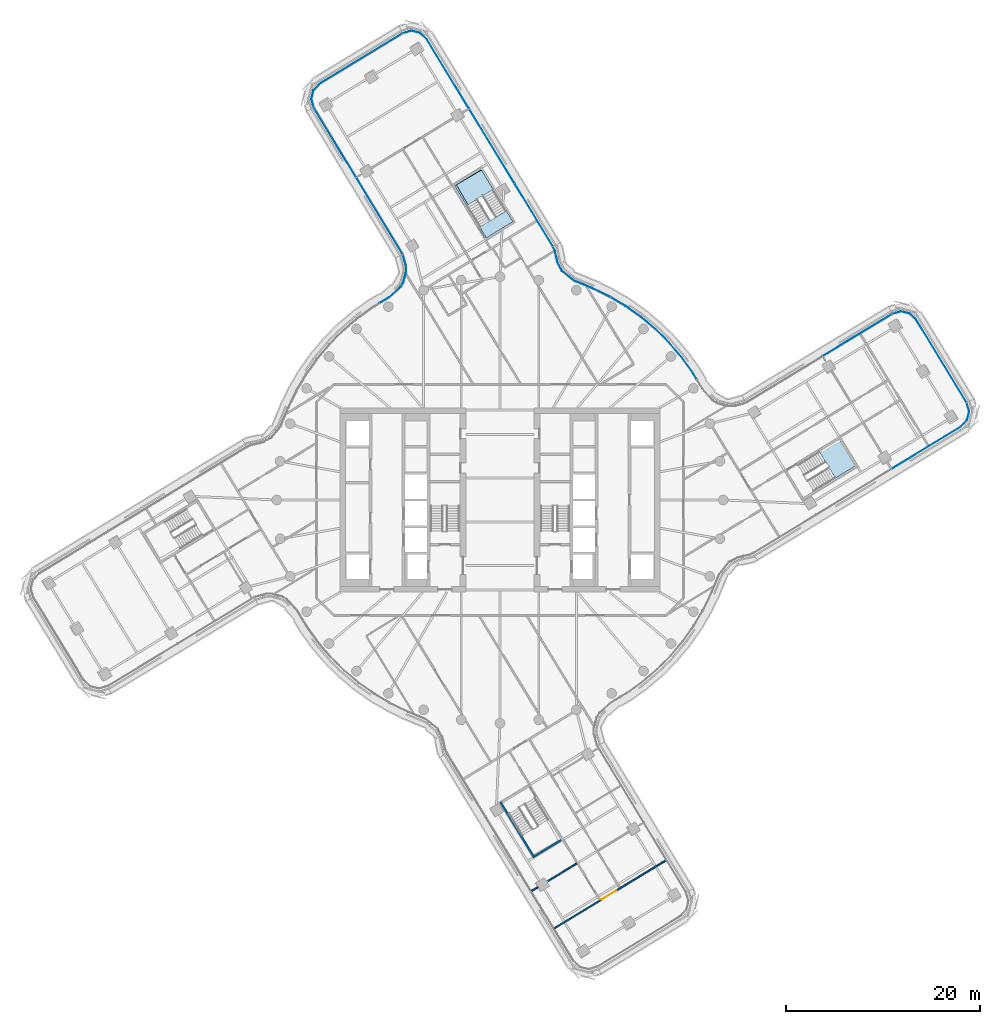
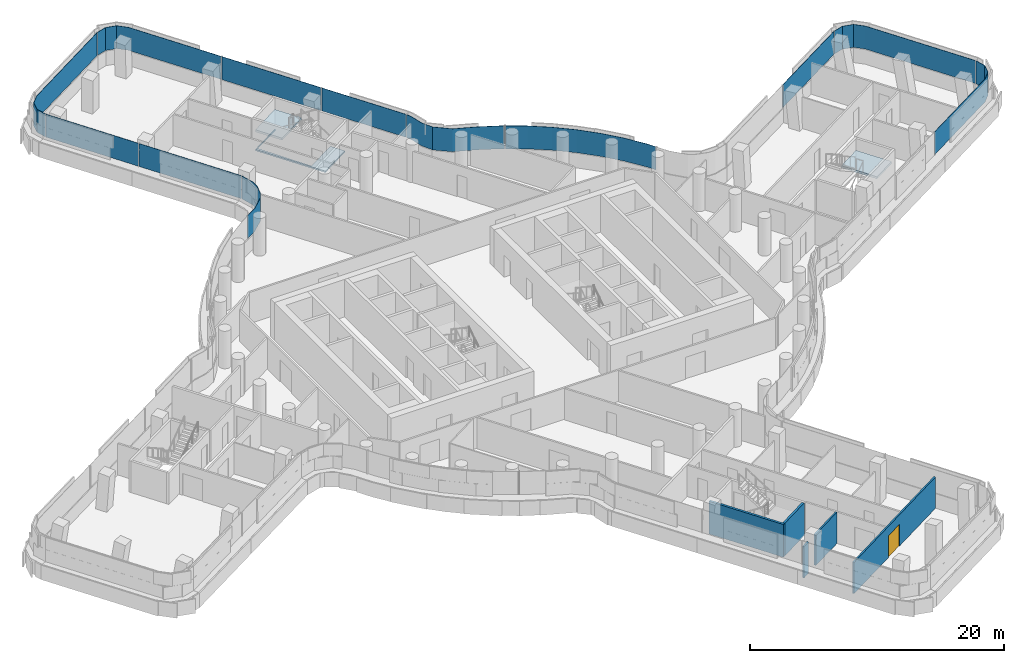
# One storey, part 20 of 35: 12 plates, 5 walls, 3 slabs, 1 door, 1 opening, 10 elements without a shape of their own.
"""IFC4 building model written with IfcOpenShell, lengths in metres."""

from ifc_helpers import new_model, si_unit, direction, frame, frame_2d, origin, place, context, subcontext, project, spatial, polyline, rectangle, outline, extrude, material, layer, layer_set, type_object, element, fill, aggregate, save


model = new_model("IFC4")

# Units and contexts
model_context = context("Model", 3, precision=1e-05, world=origin(), true_north=direction((0.0, 1.0)))
body_context = subcontext(model_context, "Body", "Model", "MODEL_VIEW")
ifc_project = project(units=[si_unit("LENGTHUNIT", "METRE"), si_unit("AREAUNIT", "SQUARE_METRE"), si_unit("VOLUMEUNIT", "CUBIC_METRE"), si_unit("PLANEANGLEUNIT", "RADIAN"), si_unit("MASSUNIT", "GRAM", prefix="KILO")], contexts=[model_context])

# Site, building, storey
site_placement = place(None, origin())
site = spatial("IfcSite", under=ifc_project, at=site_placement, CompositionType="ELEMENT")
building_placement = place(site_placement, origin())
building = spatial("IfcBuilding", under=site, at=building_placement, Name="Tamarind Cross Interchange Tower", CompositionType="ELEMENT")
storey_placement = place(building_placement, frame((0.0, 0.0, 148.0)))
storey = spatial("IfcBuildingStorey", under=building, at=storey_placement, Name="L36", CompositionType="ELEMENT", Elevation=148.0)

# Slab
ifc_material_1 = material(Name="Concrete C35", Category="concrete")
ifc_layer_1 = layer(ifc_material_1, 0.139892578125)
ifc_layer_set_1 = layer_set([ifc_layer_1], Name="Concrete C35")
slab_type_1 = type_object("IfcSlabType", Name="Composite slab 140 Concrete C35", PredefinedType="FLOOR", material=ifc_layer_set_1)
slab_1_placement = place(storey_placement, frame((0.0, 0.0, -0.139892578125)))
element("IfcSlab", 1, at=slab_1_placement, inside=storey, type_object=slab_type_1, Name="Floor slab L36", PredefinedType="FLOOR", context=body_context, shape_type="SweptSolid", body=[
    extrude(outline(polyline([(-1.94921875, 34.043701171875), (-4.682373046875, 32.379150390625), (-1.4052734375, 26.99853515625), (1.327880859375, 28.6630859375), (0.645263671875, 29.78369140625), (-1.989013671875, 28.17919921875), (-4.4921875, 32.462890625), (-1.906494140625, 33.9736328125), (-1.94921875, 34.043701171875)])), origin(), (0.0, 0.0, 1.0), 0.139892578125),
])

# Stair, slab
ifc_material_2 = material(Name="Exit stair")
stair_type = type_object("IfcStairType", Name="Exit stair", PredefinedType="HALF_TURN_STAIR", material=ifc_material_2)
stair_1_placement = place(storey_placement, origin())
stair_1 = element("IfcStair", 2, at=stair_1_placement, inside=storey, type_object=stair_type, Name="L36 exit stair ST3", PredefinedType="HALF_TURN_STAIR")
ifc_material_3 = material(Name="Concrete C40", Category="concrete")
ifc_layer_2 = layer(ifc_material_3, 0.199951171875)
ifc_layer_set_2 = layer_set([ifc_layer_2], Name="Concrete C40")
slab_type_2 = type_object("IfcSlabType", Name="Stair landing", PredefinedType="LANDING", material=ifc_layer_set_2)
slab_2_placement = place(storey_placement, frame((0.0, 0.0, 1.675048828125)))
slab_2 = element("IfcSlab", 3, at=slab_2_placement, type_object=slab_type_2, Name="ST3 landing 1", PredefinedType="LANDING", context=body_context, shape_type="SweptSolid", body=[
    extrude(outline(polyline([(34.5458984375, 2.255126953125), (36.60595703125, 3.509765625), (34.94140625, 6.242919921875), (32.88134765625, 4.988037109375), (34.5458984375, 2.255126953125)])), origin(), (0.0, 0.0, 1.0), 0.199951171875),
])
aggregate(stair_1, [slab_2])

stair_2_placement = place(storey_placement, origin())
stair_2 = element("IfcStair", 4, at=stair_2_placement, inside=storey, type_object=stair_type, Name="L36 exit stair ST4", PredefinedType="HALF_TURN_STAIR")
slab_3_placement = place(storey_placement, frame((0.0, 0.0, 1.675048828125)))
slab_3 = element("IfcSlab", 5, at=slab_3_placement, type_object=slab_type_2, Name="ST4 landing 1", PredefinedType="LANDING", context=body_context, shape_type="SweptSolid", body=[
    extrude(outline(polyline([(-0.694580078125, 31.983642578125), (-1.94921875, 34.043701171875), (-4.682373046875, 32.379150390625), (-3.427734375, 30.319091796875), (-0.694580078125, 31.983642578125)])), origin(), (0.0, 0.0, 1.0), 0.199951171875),
])
aggregate(stair_2, [slab_3])

# Curtain wall, plate
ifc_material_4 = material(Name="Aluminium 6063-T6", Category="aluminium")
ifc_layer_3 = layer(ifc_material_4, 0.159912109375)
ifc_layer_set_3 = layer_set([ifc_layer_3], Name="Aluminium 6063-T6")
curtain_wall_type = type_object("IfcCurtainWallType", Name="Office curtain wall, 9.0 m bays", PredefinedType="NOTDEFINED", material=ifc_layer_set_3)
curtain_wall_1_placement = place(storey_placement, origin())
curtain_wall_1 = element("IfcCurtainWall", 6, at=curtain_wall_1_placement, inside=storey, type_object=curtain_wall_type, Name="CWS-L36-07", PredefinedType="NOTDEFINED")
ifc_material_5 = material(Name="Laminated low-e glass 8+1.52+8", Category="glass")
ifc_layer_4 = layer(ifc_material_5, 0.028076171875)
ifc_layer_set_4 = layer_set([ifc_layer_4], Name="Laminated low-e glass 8+1.52+8")
plate_type = type_object("IfcPlateType", Name="Vision panel CW1", PredefinedType="CURTAIN_PANEL", material=ifc_layer_set_4)
plate_1_placement = place(storey_placement, frame((0.0, 0.0, 1.39990234375)))
plate_1 = element("IfcPlate", 7, at=plate_1_placement, type_object=plate_type, Name="CWP-L36-07-02", PredefinedType="CURTAIN_PANEL", context=body_context, shape_type="SweptSolid", body=[
    extrude(outline(polyline([(40.319580078125, 3.212158203125), (47.442138671875, 7.55029296875), (48.09765625, 8.2373046875), (48.31494140625, 9.1318359375), (48.0556640625, 10.016357421875), (48.08251953125, 10.024169921875), (48.343994140625, 9.132568359375), (48.123046875, 8.223388671875), (47.459716796875, 7.528076171875), (40.334228515625, 3.188232421875), (40.319580078125, 3.212158203125)])), origin(), (0.0, 0.0, 1.0), 2.210205078125),
])
aggregate(curtain_wall_1, [plate_1])

curtain_wall_2_placement = place(storey_placement, origin())
curtain_wall_2 = element("IfcCurtainWall", 8, at=curtain_wall_2_placement, inside=storey, type_object=curtain_wall_type, Name="CWS-L36-08", PredefinedType="NOTDEFINED")
plate_2_placement = place(storey_placement, frame((0.0, 0.0, 1.39990234375)))
plate_2 = element("IfcPlate", 9, at=plate_2_placement, type_object=plate_type, Name="CWP-L36-08-00", PredefinedType="CURTAIN_PANEL", context=body_context, shape_type="SweptSolid", body=[
    extrude(outline(polyline([(48.033203125, 10.0673828125), (42.875244140625, 18.53564453125), (42.188232421875, 19.19140625), (41.293701171875, 19.40869140625), (40.408935546875, 19.1494140625), (40.401123046875, 19.17626953125), (41.29296875, 19.437744140625), (42.2021484375, 19.216796875), (42.897216796875, 18.553466796875), (48.05712890625, 10.081787109375), (48.033203125, 10.0673828125)])), origin(), (0.0, 0.0, 1.0), 2.210205078125),
])
aggregate(curtain_wall_2, [plate_2])

curtain_wall_3_placement = place(storey_placement, origin())
curtain_wall_3 = element("IfcCurtainWall", 10, at=curtain_wall_3_placement, inside=storey, type_object=curtain_wall_type, Name="CWS-L36-09", PredefinedType="NOTDEFINED")
plate_3_placement = place(storey_placement, frame((0.0, 0.0, 1.39990234375)))
plate_3 = element("IfcPlate", 11, at=plate_3_placement, type_object=plate_type, Name="CWP-L36-09-00", PredefinedType="CURTAIN_PANEL", context=body_context, shape_type="SweptSolid", body=[
    extrude(outline(polyline([(40.35791015625, 19.126708984375), (33.239013671875, 14.81103515625), (33.224365234375, 14.8349609375), (40.343505859375, 19.15087890625), (40.35791015625, 19.126708984375)])), origin(), (0.0, 0.0, 1.0), 2.210205078125),
])
aggregate(curtain_wall_3, [plate_3])

# Curtain wall, plates
curtain_wall_4_placement = place(storey_placement, origin())
curtain_wall_4 = element("IfcCurtainWall", 12, at=curtain_wall_4_placement, inside=storey, type_object=curtain_wall_type, Name="CWS-L36-10", PredefinedType="NOTDEFINED")
plate_4_placement = place(storey_placement, frame((0.0, 0.0, 1.39990234375)))
plate_4 = element("IfcPlate", 13, at=plate_4_placement, type_object=plate_type, Name="CWP-L36-10-01", PredefinedType="CURTAIN_PANEL", context=body_context, shape_type="SweptSolid", body=[
    extrude(outline(polyline([(20.265380859375, 12.40771484375), (19.85302734375, 13.093017578125), (18.7041015625, 14.687744140625), (17.42724609375, 16.18212890625), (16.031494140625, 17.56591796875), (14.526123046875, 18.829833984375), (12.921630859375, 19.965087890625), (11.423095703125, 20.849365234375), (11.437255859375, 20.873291015625), (12.936767578125, 19.988525390625), (14.543212890625, 18.85205078125), (16.05029296875, 17.586669921875), (17.44775390625, 16.201171875), (18.72607421875, 14.705078125), (19.87646484375, 13.1083984375), (20.28955078125, 12.422119140625), (20.265380859375, 12.40771484375)])), origin(), (0.0, 0.0, 1.0), 2.210205078125),
])
plate_5_placement = place(storey_placement, frame((0.0, 0.0, 1.39990234375)))
plate_5 = element("IfcPlate", 14, at=plate_5_placement, type_object=plate_type, Name="CWP-L36-10-02", PredefinedType="CURTAIN_PANEL", context=body_context, shape_type="SweptSolid", body=[
    extrude(outline(polyline([(11.37158203125, 20.879638671875), (11.228759765625, 20.9638671875), (9.457275390625, 21.820556640625), (7.6220703125, 22.567626953125), (6.384765625, 23.57763671875), (5.917236328125, 24.47509765625), (5.76025390625, 25.1142578125), (5.642578125, 25.659423828125), (5.457763671875, 26.077392578125), (5.4833984375, 26.0888671875), (5.669189453125, 25.66796875), (5.78759765625, 25.12060546875), (5.943603515625, 24.48486328125), (6.40673828125, 23.595703125), (7.636474609375, 22.591796875), (9.46875, 21.84619140625), (11.241943359375, 20.98876953125), (11.3857421875, 20.90380859375), (11.37158203125, 20.879638671875)])), origin(), (0.0, 0.0, 1.0), 2.210205078125),
])
aggregate(curtain_wall_4, [plate_4, plate_5])

curtain_wall_5_placement = place(storey_placement, origin())
curtain_wall_5 = element("IfcCurtainWall", 15, at=curtain_wall_5_placement, inside=storey, type_object=curtain_wall_type, Name="CWS-L36-11", PredefinedType="NOTDEFINED")
plate_6_placement = place(storey_placement, frame((0.0, 0.0, 1.39990234375)))
plate_6 = element("IfcPlate", 16, at=plate_6_placement, type_object=plate_type, Name="CWP-L36-11-00", PredefinedType="CURTAIN_PANEL", context=body_context, shape_type="SweptSolid", body=[
    extrude(outline(polyline([(5.430908203125, 26.12890625), (1.4931640625, 32.59375), (1.51708984375, 32.6083984375), (5.454833984375, 26.1435546875), (5.430908203125, 26.12890625)])), origin(), (0.0, 0.0, 1.0), 2.210205078125),
])
plate_7_placement = place(storey_placement, frame((0.0, 0.0, 1.39990234375)))
plate_7 = element("IfcPlate", 17, at=plate_7_placement, type_object=plate_type, Name="CWP-L36-11-01", PredefinedType="CURTAIN_PANEL", context=body_context, shape_type="SweptSolid", body=[
    extrude(outline(polyline([(1.462158203125, 32.64501953125), (-3.180908203125, 40.268310546875), (-3.156982421875, 40.282958984375), (1.486083984375, 32.65966796875), (1.462158203125, 32.64501953125)])), origin(), (0.0, 0.0, 1.0), 2.210205078125),
])
plate_8_placement = place(storey_placement, frame((0.0, 0.0, 1.39990234375)))
plate_8 = element("IfcPlate", 18, at=plate_8_placement, type_object=plate_type, Name="CWP-L36-11-02", PredefinedType="CURTAIN_PANEL", context=body_context, shape_type="SweptSolid", body=[
    extrude(outline(polyline([(-3.212158203125, 40.319580078125), (-7.55029296875, 47.442138671875), (-8.2373046875, 48.09765625), (-9.1318359375, 48.31494140625), (-10.016357421875, 48.0556640625), (-10.024169921875, 48.08251953125), (-9.132568359375, 48.343994140625), (-8.223388671875, 48.123046875), (-7.528076171875, 47.459716796875), (-3.188232421875, 40.334228515625), (-3.212158203125, 40.319580078125)])), origin(), (0.0, 0.0, 1.0), 2.210205078125),
])
aggregate(curtain_wall_5, [plate_6, plate_7, plate_8])

# Curtain wall, plate
curtain_wall_6_placement = place(storey_placement, origin())
curtain_wall_6 = element("IfcCurtainWall", 19, at=curtain_wall_6_placement, inside=storey, type_object=curtain_wall_type, Name="CWS-L36-12", PredefinedType="NOTDEFINED")
plate_9_placement = place(storey_placement, frame((0.0, 0.0, 1.39990234375)))
plate_9 = element("IfcPlate", 20, at=plate_9_placement, type_object=plate_type, Name="CWP-L36-12-00", PredefinedType="CURTAIN_PANEL", context=body_context, shape_type="SweptSolid", body=[
    extrude(outline(polyline([(-10.0673828125, 48.033203125), (-18.53564453125, 42.875244140625), (-19.19140625, 42.188232421875), (-19.40869140625, 41.293701171875), (-19.1494140625, 40.408935546875), (-19.17626953125, 40.401123046875), (-19.437744140625, 41.29296875), (-19.216796875, 42.2021484375), (-18.553466796875, 42.897216796875), (-10.081787109375, 48.05712890625), (-10.0673828125, 48.033203125)])), origin(), (0.0, 0.0, 1.0), 2.210205078125),
])
aggregate(curtain_wall_6, [plate_9])

# Curtain wall, plates
curtain_wall_7_placement = place(storey_placement, origin())
curtain_wall_7 = element("IfcCurtainWall", 21, at=curtain_wall_7_placement, inside=storey, type_object=curtain_wall_type, Name="CWS-L36-13", PredefinedType="NOTDEFINED")
plate_10_placement = place(storey_placement, frame((0.0, 0.0, 1.39990234375)))
plate_10 = element("IfcPlate", 22, at=plate_10_placement, type_object=plate_type, Name="CWP-L36-13-00", PredefinedType="CURTAIN_PANEL", context=body_context, shape_type="SweptSolid", body=[
    extrude(outline(polyline([(-19.126708984375, 40.35791015625), (-14.81103515625, 33.239013671875), (-14.8349609375, 33.224365234375), (-19.15087890625, 40.343505859375), (-19.126708984375, 40.35791015625)])), origin(), (0.0, 0.0, 1.0), 2.210205078125),
])
plate_11_placement = place(storey_placement, frame((0.0, 0.0, 1.39990234375)))
plate_11 = element("IfcPlate", 23, at=plate_11_placement, type_object=plate_type, Name="CWP-L36-13-01", PredefinedType="CURTAIN_PANEL", context=body_context, shape_type="SweptSolid", body=[
    extrude(outline(polyline([(-14.77978515625, 33.187744140625), (-10.009521484375, 25.3193359375), (-10.033447265625, 25.304931640625), (-14.8037109375, 33.173095703125), (-14.77978515625, 33.187744140625)])), origin(), (0.0, 0.0, 1.0), 2.210205078125),
])
aggregate(curtain_wall_7, [plate_10, plate_11])

# Curtain wall, plate
curtain_wall_8_placement = place(storey_placement, origin())
curtain_wall_8 = element("IfcCurtainWall", 24, at=curtain_wall_8_placement, inside=storey, type_object=curtain_wall_type, Name="CWS-L36-14", PredefinedType="NOTDEFINED")
plate_12_placement = place(storey_placement, frame((0.0, 0.0, 1.39990234375)))
plate_12 = element("IfcPlate", 25, at=plate_12_placement, type_object=plate_type, Name="CWP-L36-14-00", PredefinedType="CURTAIN_PANEL", context=body_context, shape_type="SweptSolid", body=[
    extrude(outline(polyline([(-9.984375, 25.261474609375), (-9.65087890625, 24.0869140625), (-9.64697265625, 23.504638671875), (-9.938232421875, 22.4267578125), (-10.236328125, 21.9228515625), (-11.38330078125, 20.8818359375), (-12.356201171875, 20.29638671875), (-12.37060546875, 20.3203125), (-11.39990234375, 20.904541015625), (-10.25830078125, 21.940673828125), (-9.964111328125, 22.437744140625), (-9.675048828125, 23.50830078125), (-9.6787109375, 24.0830078125), (-10.01123046875, 25.25390625), (-9.984375, 25.261474609375)])), origin(), (0.0, 0.0, 1.0), 2.210205078125),
])
aggregate(curtain_wall_8, [plate_12])

# Walls
ifc_material_6 = material(Name="Gypsum board partition on steel studs", Category="steel")
ifc_layer_5 = layer(ifc_material_6, 0.14990234375)
ifc_layer_set_5 = layer_set([ifc_layer_5], Name="Gypsum board partition on steel studs")
wall_type_1 = type_object("IfcWallType", Name="Partition 150 mm EI 120", PredefinedType="PARTITIONING", material=ifc_layer_set_5)
wall_1_placement = place(storey_placement, frame((3.277587890625, -40.259765625, 0.0), z_axis=(0.0, 0.0, 1.0), x_axis=(0.853918422063, 0.520406887408, 0.0)))
element("IfcWall", 26, at=wall_1_placement, inside=storey, type_object=wall_type_1, Name="Partition L36-054", PredefinedType="PARTITIONING", context=body_context, shape_type="SweptSolid", body=[
    extrude(rectangle(XDim=0.757568359375, YDim=0.14990234375, at=frame_2d((0.37890625, 0.0))), origin(), (0.0, 0.0, 1.0), 3.010009765625),
])
wall_2_placement = place(storey_placement, frame((4.9443359375, -39.244384765625, 0.0), z_axis=(0.0, 0.0, 1.0), x_axis=(0.854057124002, 0.52017922771, 0.0)))
element("IfcWall", 27, at=wall_2_placement, inside=storey, type_object=wall_type_1, Name="Partition L36-055", PredefinedType="PARTITIONING", context=body_context, shape_type="SweptSolid", body=[
    extrude(rectangle(XDim=3.467529296875, YDim=0.14990234375, at=frame_2d((1.73388671875, 0.0))), origin(), (0.0, 0.0, 1.0), 3.010009765625),
])

# Wall, opening, door
wall_3_placement = place(storey_placement, frame((5.61865234375, -44.103515625, 0.0), z_axis=(0.0, 0.0, 1.0), x_axis=(0.854039913773, 0.520207483302, 0.0)))
wall_3 = element("IfcWall", 28, at=wall_3_placement, inside=storey, type_object=wall_type_1, Name="Partition L36-060", PredefinedType="PARTITIONING", context=body_context, shape_type="SweptSolid", body=[
    extrude(rectangle(XDim=13.406005859375, YDim=0.14990234375, at=frame_2d((6.703125, 0.0))), origin(), (0.0, 0.0, 1.0), 3.010009765625),
])
opening_placement = place(wall_3_placement, frame((5.64892578125, 0.0, 0.0)))
opening = element("IfcOpeningElement", 29, at=opening_placement, cuts=wall_3, Name="Opening D34", PredefinedType="OPENING", context=body_context, shape_type="SweptSolid", body=[
    extrude(rectangle(XDim=1.800048828125, YDim=2.10009765625, at=frame_2d((0.89990234375, 1.050048828125))), frame((0.0, 0.0849609375, 0.0), z_axis=(0.0, -1.0, 0.0), x_axis=(1.0, 0.0, 0.0)), (0.0, 0.0, 1.0), 0.169921875),
])
ifc_material_7 = material(Name="Fire-resisting door set")
door_type = type_object("IfcDoorType", Name="Interior door 1800 x 2100 FD60S", OperationType="DOUBLE_DOOR_SINGLE_SWING", PredefinedType="DOOR", material=ifc_material_7)
door_placement = place(opening_placement, frame((1.800048828125, 0.0, 0.0), z_axis=(0.0, 0.0, 1.0), x_axis=(-1.0, 0.0, 0.0)))
door = element("IfcDoor", 30, at=door_placement, inside=storey, type_object=door_type, Name="Door D34", OperationType="DOUBLE_DOOR_SINGLE_SWING", OverallHeight=2.10009765625, OverallWidth=1.800048828125, PredefinedType="DOOR", context=body_context, shape_type="SweptSolid", body=[
    extrude(rectangle(XDim=1.800048828125, YDim=2.10009765625, at=frame_2d((0.89990234375, 1.050048828125))), frame((0.0, 0.02490234375, 0.0), z_axis=(0.0, -1.0, 0.0), x_axis=(1.0, 0.0, 0.0)), (0.0, 0.0, 1.0), 0.050048828125),
])
fill(opening, door)

# Walls
ifc_layer_6 = layer(ifc_material_3, 0.199951171875)
ifc_layer_set_6 = layer_set([ifc_layer_6], Name="Concrete C40")
wall_type_2 = type_object("IfcWallType", Name="Stair shaft wall 200 mm Concrete C40", PredefinedType="SHEAR", material=ifc_layer_set_6)
wall_4_placement = place(storey_placement, frame((0.043212890625, -31.1064453125, -0.139892578125), z_axis=(0.0, 0.0, 1.0), x_axis=(0.520196616646, -0.854046532708, 0.0)))
element("IfcWall", 31, at=wall_4_placement, inside=storey, type_object=wall_type_2, Name="Core wall CWL-L36-ST6-C", PredefinedType="SHEAR", context=body_context, shape_type="SweptSolid", body=[
    extrude(rectangle(XDim=6.699951171875, YDim=0.199951171875, at=frame_2d((3.35009765625, 0.0))), origin(), (0.0, 0.0, 1.0), 3.14990234375),
])
wall_5_placement = place(storey_placement, frame((0.0, 0.0, -0.139892578125)))
element("IfcWall", 32, at=wall_5_placement, inside=storey, type_object=wall_type_2, Name="Core wall CWL-L36-ST6-CF", PredefinedType="SHEAR", context=body_context, shape_type="SweptSolid", body=[
    extrude(outline(polyline([(3.509765625, -36.60595703125), (3.614013671875, -36.776611328125), (6.346923828125, -35.112060546875), (6.242919921875, -34.94140625), (3.509765625, -36.60595703125)])), origin(), (0.0, 0.0, 1.0), 3.14990234375),
])

save(model, "model.ifc")
